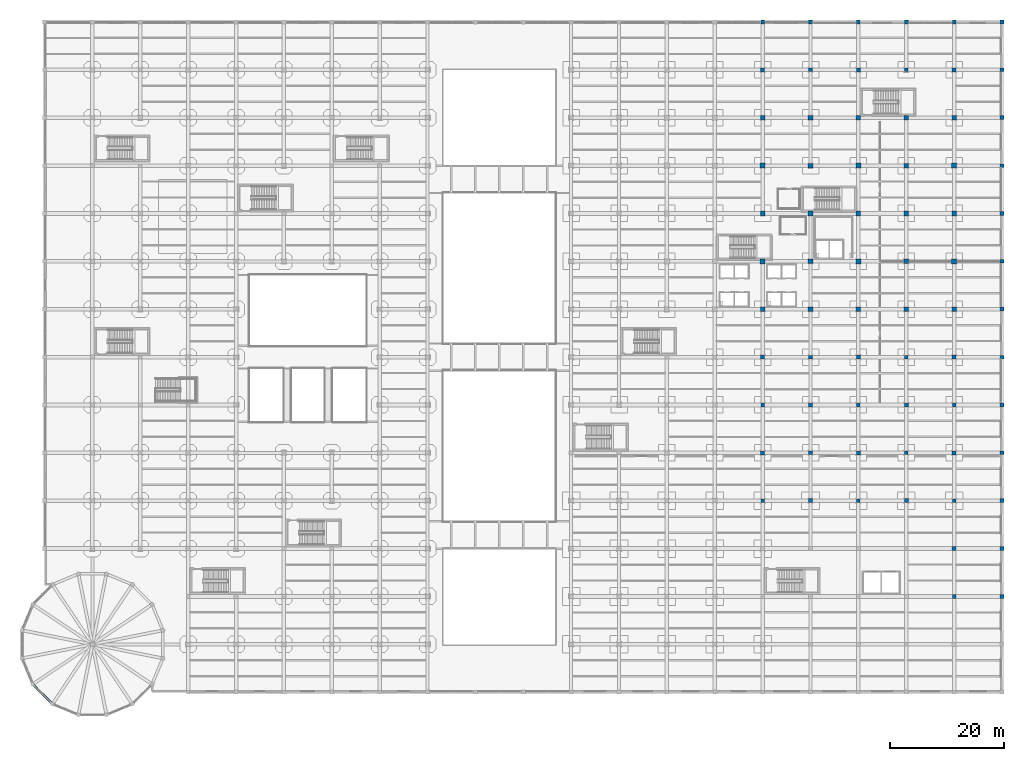
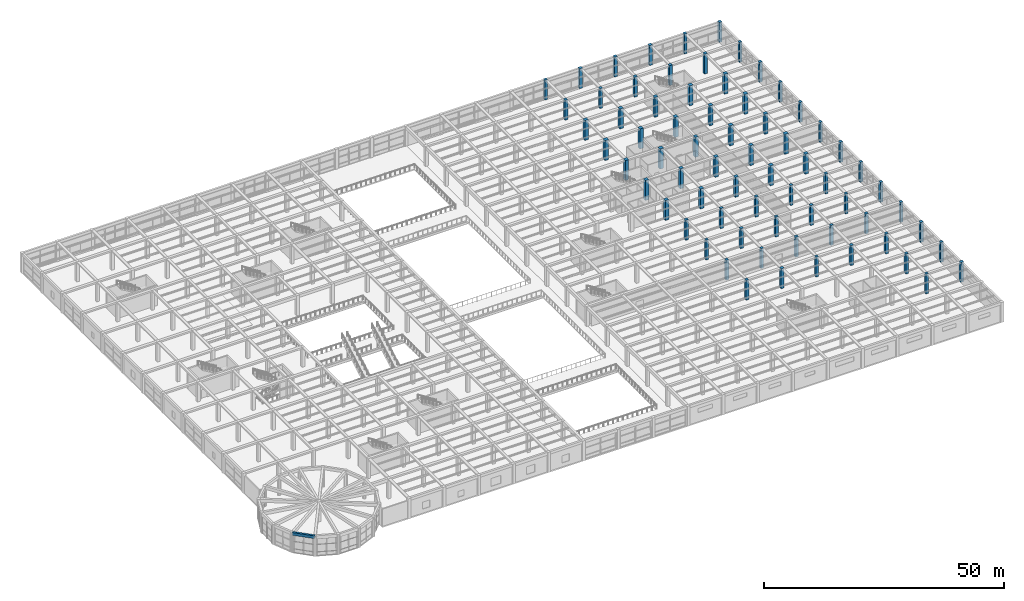
# One storey, part 2 of 96: 70 columns, 1 beam.
"""IFC4 building model written with IfcOpenShell, lengths in metres."""

import ifcopenshell
import ifcopenshell.guid

model = None  # the IFC model being written
_history = None  # IfcOwnerHistory: only IFC2X3 demands one
_inside = {}  # id of a spatial element -> (the spatial element, [elements in it])
_under = {}  # id of a project, library or spatial element -> (it, [spatial elements below it])
_declared = {}  # id of a project -> (the project, [libraries it declares])
_typed = {}  # id of a type object -> (the type object, [elements of that type])
_made_of = {}  # id of a material, layer set ... -> (it, [elements and type objects made of it])


def new_model(schema):
    """Start an empty IFC model of exactly this schema.

    Asked for "IFC4X3", IfcOpenShell would pick the latest addendum, in which some entities
    have other attributes; the version numbers below select the first issue.
    IFC2X3 requires an IfcOwnerHistory on every rooted entity: one is made here for all.
    """
    global model, _history
    if schema == "IFC4X3":
        model = ifcopenshell.file(schema_version=(4, 3, 0, 0))
    else:
        model = ifcopenshell.file(schema=schema)
    _inside.clear()
    _under.clear()
    _declared.clear()
    _typed.clear()
    _made_of.clear()
    _history = None
    if model.schema == "IFC2X3":
        org = make("IfcOrganization", Name="unknown")
        user = make(
            "IfcPersonAndOrganization",
            ThePerson=make("IfcPerson", FamilyName="unknown"),
            TheOrganization=org,
        )
        app = make(
            "IfcApplication",
            ApplicationDeveloper=org,
            Version="unknown",
            ApplicationFullName="unknown",
            ApplicationIdentifier="unknown",
        )
        _history = make(
            "IfcOwnerHistory",
            OwningUser=user,
            OwningApplication=app,
            ChangeAction="ADDED",
            CreationDate=0,
        )
    return model


def make(cls, **values):
    """One entity of the class cls with the attributes given. An attribute that is None is left unset."""
    return model.create_entity(
        cls, **{name: value for name, value in values.items() if value is not None}
    )


def rooted(cls, **values):
    """An entity with a GlobalId (a new one), such as an element, a storey or a relation."""
    return make(cls, GlobalId=ifcopenshell.guid.new(), OwnerHistory=_history, **values)


def si_unit(unit_type, name, prefix=None):
    """IfcSIUnit, for example si_unit("LENGTHUNIT", "METRE", prefix="MILLI")."""
    return make("IfcSIUnit", UnitType=unit_type, Prefix=prefix, Name=name)


def assignment(units):
    """IfcUnitAssignment: the units of a project."""
    return None if units is None else make("IfcUnitAssignment", Units=units)


def point(xyz):
    """IfcCartesianPoint."""
    return None if xyz is None else make("IfcCartesianPoint", Coordinates=xyz)


def direction(xyz):
    """IfcDirection."""
    return None if xyz is None else make("IfcDirection", DirectionRatios=xyz)


def frame(location, z_axis=None, x_axis=None):
    """IfcAxis2Placement3D, a coordinate frame: its origin and axes. An axis left out is left unset."""
    return make(
        "IfcAxis2Placement3D",
        Location=point(location),
        Axis=direction(z_axis),
        RefDirection=direction(x_axis),
    )


def frame_2d(location, x_axis=None):
    """IfcAxis2Placement2D, a coordinate frame in the plane: its origin and x axis."""
    return make(
        "IfcAxis2Placement2D", Location=point(location), RefDirection=direction(x_axis)
    )


def origin():
    """The frame at (0, 0, 0) with its axes left unset."""
    return frame((0.0, 0.0, 0.0))


def origin_2d():
    """The frame at (0, 0) in the plane with its x axis left unset."""
    return frame_2d((0.0, 0.0))


def place(relative_to, where):
    """IfcLocalPlacement: puts the frame where relative to a parent placement (None: the world)."""
    return make(
        "IfcLocalPlacement", PlacementRelTo=relative_to, RelativePlacement=where
    )


def context(
    kind, dimensions, precision=None, world=None, true_north=None, identifier=None
):
    """IfcGeometricRepresentationContext, for example the 3D "Model" context."""
    return make(
        "IfcGeometricRepresentationContext",
        ContextIdentifier=identifier,
        ContextType=kind,
        CoordinateSpaceDimension=dimensions,
        Precision=precision,
        WorldCoordinateSystem=world,
        TrueNorth=true_north,
    )


def subcontext(parent, identifier, kind, view, scale=None):
    """IfcGeometricRepresentationSubContext, for example "Body" below "Model"."""
    return make(
        "IfcGeometricRepresentationSubContext",
        ContextIdentifier=identifier,
        ContextType=kind,
        ParentContext=parent,
        TargetScale=scale,
        TargetView=view,
    )


def project(units=None, contexts=None):
    """IfcProject with its units and contexts."""
    return rooted(
        "IfcProject",
        Name="project",
        RepresentationContexts=contexts,
        UnitsInContext=assignment(units),
    )


def spatial(cls, under=None, at=None, **own):
    """A site, building, storey or space (cls), placed at a placement, below another one or the project."""
    s = rooted(cls, ObjectPlacement=at, **own)
    if under is not None:
        _under.setdefault(under.id(), (under, []))[1].append(s)
    return s


def profile(cls, at=None, kind="AREA", **sizes):
    """A parametric profile (cls). Its sizes go by their IFC names, for example OverallWidth=200.0."""
    return make(cls, ProfileType=kind, Position=at, **sizes)


def rectangle(**sizes):
    """IfcRectangleProfileDef."""
    return profile("IfcRectangleProfileDef", **sizes)


def extrude(swept, where, along, depth):
    """IfcExtrudedAreaSolid: the profile swept, set in the frame where, extruded along a direction by depth."""
    return make(
        "IfcExtrudedAreaSolid",
        SweptArea=swept,
        Position=where,
        ExtrudedDirection=direction(along),
        Depth=depth,
    )


def shape(context_of_items, identifier, shape_type, items):
    """IfcShapeRepresentation: the items that make up one representation, for example the "Body"."""
    return make(
        "IfcShapeRepresentation",
        ContextOfItems=context_of_items,
        RepresentationIdentifier=identifier,
        RepresentationType=shape_type,
        Items=items,
    )


def material(Name=None, Category=None):
    """IfcMaterial."""
    return make("IfcMaterial", Name=Name, Category=Category)


def material_profile(
    of_material, cross_section, Name=None, Category=None, Priority=None
):
    """IfcMaterialProfile: a cross section and its material."""
    return make(
        "IfcMaterialProfile",
        Name=Name,
        Material=of_material,
        Profile=cross_section,
        Priority=Priority,
        Category=Category,
    )


def profile_set(profiles, Name=None, composite=None):
    """IfcMaterialProfileSet."""
    return make(
        "IfcMaterialProfileSet",
        Name=Name,
        MaterialProfiles=profiles,
        CompositeProfile=composite,
    )


def made_of(thing, what):
    """Note that an element or type object is made of a material, layer set ...; save() writes the relation."""
    if what is not None:
        _made_of.setdefault(what.id(), (what, []))[1].append(thing)
    return thing


def type_object(cls, material=None, **own):
    """A type object (cls), such as IfcWallType, which elements share."""
    return made_of(rooted(cls, **own), material)


def element(
    cls,
    number,
    at=None,
    inside=None,
    cuts=None,
    type_object=None,
    material=None,
    context=None,
    identifier="Body",
    shape_type=None,
    held_by="IfcProductDefinitionShape",
    body=None,
    shapes=None,
    **own,
):
    """One element of the class cls, such as IfcWall. Its Tag is "e" and its number.

    at: its placement. inside: the storey or other place that contains it. cuts: it is an
    opening in that element (IfcRelVoidsElement). A single representation is given by context,
    identifier, shape_type and body (its items); several are given by shapes. held_by: the class
    of the entity that holds the representations. save() writes the other relations.
    """
    e = rooted(cls, Tag="e%d" % number, ObjectPlacement=at, **own)
    if body is not None:
        shapes = [shape(context, identifier, shape_type, body)]
    if shapes is not None:
        e.Representation = make(held_by, Representations=shapes)
    if inside is not None:
        _inside.setdefault(inside.id(), (inside, []))[1].append(e)
    if cuts is not None:
        rooted(
            "IfcRelVoidsElement", RelatingBuildingElement=cuts, RelatedOpeningElement=e
        )
    if type_object is not None:
        _typed.setdefault(type_object.id(), (type_object, []))[1].append(e)
    return made_of(e, material)


def aggregate(whole, parts):
    """IfcRelAggregates: a whole, such as a stair, and the parts it consists of."""
    return rooted("IfcRelAggregates", RelatingObject=whole, RelatedObjects=parts)


def save(model, path):
    """Write the relations noted so far, then the file.

    IfcRelAggregates (storeys below a building ...), IfcRelContainedInSpatialStructure (elements
    in a storey), IfcRelDefinesByType, IfcRelAssociatesMaterial and IfcRelDeclares: one each for
    every whole, place, type object, material and project.
    """
    for whole, parts in _under.values():
        aggregate(whole, parts)
    for where, things in _inside.values():
        rooted(
            "IfcRelContainedInSpatialStructure",
            RelatedElements=things,
            RelatingStructure=where,
        )
    for kind, things in _typed.values():
        rooted("IfcRelDefinesByType", RelatedObjects=things, RelatingType=kind)
    for what, things in _made_of.values():
        rooted("IfcRelAssociatesMaterial", RelatedObjects=things, RelatingMaterial=what)
    for by, libraries in _declared.values():
        rooted("IfcRelDeclares", RelatingContext=by, RelatedDefinitions=libraries)
    model.write(path)


model = new_model("IFC4")

# Units and contexts
model_context = context("Model", 3, precision=1e-05, world=origin(), true_north=direction((0.0, 1.0)))
body_context = subcontext(model_context, "Body", "Model", "MODEL_VIEW")
ifc_project = project(units=[si_unit("LENGTHUNIT", "METRE"), si_unit("AREAUNIT", "SQUARE_METRE"), si_unit("VOLUMEUNIT", "CUBIC_METRE"), si_unit("PLANEANGLEUNIT", "RADIAN"), si_unit("MASSUNIT", "GRAM", prefix="KILO")], contexts=[model_context])

# Site, building, storey
site_placement = place(None, origin())
site = spatial("IfcSite", under=ifc_project, at=site_placement, CompositionType="ELEMENT")
building_placement = place(site_placement, origin())
building = spatial("IfcBuilding", under=site, at=building_placement, Name="Almacenes y Pasaje Nevantli", CompositionType="ELEMENT")
storey_placement = place(building_placement, frame((0.0, 0.0, 6.0)))
storey = spatial("IfcBuildingStorey", under=building, at=storey_placement, Name="L02", CompositionType="ELEMENT", Elevation=6.0)

# Columns
ifc_material_1 = material(Name="Concrete C45/55", Category="concrete")
ifc_material_profile_1 = material_profile(ifc_material_1, rectangle(XDim=0.64990234375, YDim=0.64990234375, at=origin_2d()), Name="RC-COL-650x650")
ifc_profile_set_1 = profile_set([ifc_material_profile_1], Name="Concrete C45/55")
column_type_1 = type_object("IfcColumnType", Name="COL-RC-650", PredefinedType="COLUMN", material=ifc_profile_set_1)
for number, where, z_axis, x_axis, name in (
    (1, (126.0, 33.60009765625, 0.0), (0.0, 0.0, 1.0), (1.0, 0.0, 0.0), "L02 Reinforced Concrete Column CL-07 #1178"),
    (2, (126.0, 50.39990234375, 0.0), (0.0, 0.0, 1.0), (1.0, 0.0, 0.0), "L02 Reinforced Concrete Column CL-07 #1180"),
    (3, (126.0, 117.60009765625, 0.0), (0.0, 0.0, 1.0), (1.0, 0.0, 0.0), "L02 Reinforced Concrete Column CL-07 #1188"),
    (4, (134.39990234375, 42.0, 0.0), (0.0, 0.0, 1.0), (1.0, 0.0, 0.0), "L02 Reinforced Concrete Column CL-07 #1194"),
    (5, (134.39990234375, 58.800048828125, 0.0), (0.0, 0.0, 1.0), (1.0, 0.0, 0.0), "L02 Reinforced Concrete Column CL-07 #1196"),
    (6, (134.39990234375, 109.199951171875, 0.0), (0.0, 0.0, 1.0), (1.0, 0.0, 0.0), "L02 Reinforced Concrete Column CL-07 #1202"),
    (7, (142.800048828125, 33.60009765625, 0.0), (0.0, 0.0, 1.0), (1.0, 0.0, 0.0), "L02 Reinforced Concrete Column CL-07 #1208"),
    (8, (142.800048828125, 50.39990234375, 0.0), (0.0, 0.0, 1.0), (1.0, 0.0, 0.0), "L02 Reinforced Concrete Column CL-07 #1210"),
    (9, (142.800048828125, 117.60009765625, 0.0), (0.0, 0.0, 1.0), (1.0, 0.0, 0.0), "L02 Reinforced Concrete Column CL-07 #1218"),
    (10, (151.199951171875, 42.0, 0.0), (0.0, 0.0, 1.0), (1.0, 0.0, 0.0), "L02 Reinforced Concrete Column CL-07 #1224"),
    (11, (151.199951171875, 58.800048828125, 0.0), (0.0, 0.0, 1.0), (1.0, 0.0, 0.0), "L02 Reinforced Concrete Column CL-07 #1226"),
    (12, (151.199951171875, 109.199951171875, 0.0), (0.0, 0.0, 1.0), (1.0, 0.0, 0.0), "L02 Reinforced Concrete Column CL-07 #1232"),
    (13, (159.60009765625, 16.800048828125, 0.0), (0.0, 0.0, 1.0), (1.0, 0.0, 0.0), "L02 Reinforced Concrete Column CL-07 #1236"),
    (14, (159.60009765625, 33.60009765625, 0.0), (0.0, 0.0, 1.0), (1.0, 0.0, 0.0), "L02 Reinforced Concrete Column CL-07 #1238"),
    (15, (159.60009765625, 50.39990234375, 0.0), (0.0, 0.0, 1.0), (1.0, 0.0, 0.0), "L02 Reinforced Concrete Column CL-07 #1240"),
    (16, (159.60009765625, 117.60009765625, 0.0), (0.0, 0.0, 1.0), (1.0, 0.0, 0.0), "L02 Reinforced Concrete Column CL-07 #1248"),
    (17, (168.0, 25.199951171875, 0.0), (0.0, 0.0, 1.0), (1.0, 0.0, 0.0), "L02 Reinforced Concrete Column CL-07 #1252"),
    (18, (168.0, 42.0, 0.0), (0.0, 0.0, 1.0), (1.0, 0.0, 0.0), "L02 Reinforced Concrete Column CL-07 #1254"),
    (19, (168.0, 58.800048828125, 0.0), (0.0, 0.0, 1.0), (1.0, 0.0, 0.0), "L02 Reinforced Concrete Column CL-07 #1256"),
    (20, (168.0, 75.60009765625, 0.0), (0.0, 0.0, 1.0), (1.0, 0.0, 0.0), "L02 Reinforced Concrete Column CL-07 #1258"),
    (21, (168.0, 92.39990234375, 0.0), (0.0, 0.0, 1.0), (1.0, 0.0, 0.0), "L02 Reinforced Concrete Column CL-07 #1260"),
    (22, (168.0, 109.199951171875, 0.0), (0.0, 0.0, 1.0), (1.0, 0.0, 0.0), "L02 Reinforced Concrete Column CL-07 #1262"),
):
    element("IfcColumn", number, at=place(storey_placement, frame(where, z_axis=z_axis, x_axis=x_axis)), inside=storey, type_object=column_type_1, Name=name, PredefinedType="COLUMN", context=body_context, shape_type="SweptSolid", body=[
        extrude(rectangle(XDim=0.64990234375, YDim=0.64990234375, at=origin_2d()), origin(), (0.0, 0.0, 1.0), 5.10009765625),
    ])
ifc_material_2 = material(Name="Concrete C45/55", Category="concrete")
ifc_material_profile_2 = material_profile(ifc_material_2, rectangle(XDim=0.699951171875, YDim=0.699951171875, at=origin_2d()), Name="RC-COL-700x700")
ifc_profile_set_2 = profile_set([ifc_material_profile_2], Name="Concrete C45/55")
column_type_2 = type_object("IfcColumnType", Name="COL-RC-700", PredefinedType="COLUMN", material=ifc_profile_set_2)
for number, where, z_axis, x_axis, name in (
    (23, (126.0, 42.0, 0.0), (0.0, 0.0, 1.0), (1.0, 0.0, 0.0), "L02 Reinforced Concrete Column CL-06 #1179"),
    (24, (126.0, 58.800048828125, 0.0), (0.0, 0.0, 1.0), (1.0, 0.0, 0.0), "L02 Reinforced Concrete Column CL-06 #1181"),
    (25, (126.0, 109.199951171875, 0.0), (0.0, 0.0, 1.0), (1.0, 0.0, 0.0), "L02 Reinforced Concrete Column CL-06 #1187"),
    (26, (134.39990234375, 33.60009765625, 0.0), (0.0, 0.0, 1.0), (1.0, 0.0, 0.0), "L02 Reinforced Concrete Column CL-06 #1193"),
    (27, (134.39990234375, 50.39990234375, 0.0), (0.0, 0.0, 1.0), (1.0, 0.0, 0.0), "L02 Reinforced Concrete Column CL-06 #1195"),
    (28, (134.39990234375, 117.60009765625, 0.0), (0.0, 0.0, 1.0), (1.0, 0.0, 0.0), "L02 Reinforced Concrete Column CL-06 #1203"),
    (29, (142.800048828125, 42.0, 0.0), (0.0, 0.0, 1.0), (1.0, 0.0, 0.0), "L02 Reinforced Concrete Column CL-06 #1209"),
    (30, (142.800048828125, 58.800048828125, 0.0), (0.0, 0.0, 1.0), (1.0, 0.0, 0.0), "L02 Reinforced Concrete Column CL-06 #1211"),
    (31, (142.800048828125, 109.199951171875, 0.0), (0.0, 0.0, 1.0), (1.0, 0.0, 0.0), "L02 Reinforced Concrete Column CL-06 #1217"),
    (32, (151.199951171875, 33.60009765625, 0.0), (0.0, 0.0, 1.0), (1.0, 0.0, 0.0), "L02 Reinforced Concrete Column CL-06 #1223"),
    (33, (151.199951171875, 50.39990234375, 0.0), (0.0, 0.0, 1.0), (1.0, 0.0, 0.0), "L02 Reinforced Concrete Column CL-06 #1225"),
    (34, (151.199951171875, 117.60009765625, 0.0), (0.0, 0.0, 1.0), (1.0, 0.0, 0.0), "L02 Reinforced Concrete Column CL-06 #1233"),
    (35, (159.60009765625, 25.199951171875, 0.0), (0.0, 0.0, 1.0), (1.0, 0.0, 0.0), "L02 Reinforced Concrete Column CL-06 #1237"),
    (36, (159.60009765625, 42.0, 0.0), (0.0, 0.0, 1.0), (1.0, 0.0, 0.0), "L02 Reinforced Concrete Column CL-06 #1239"),
    (37, (159.60009765625, 58.800048828125, 0.0), (0.0, 0.0, 1.0), (1.0, 0.0, 0.0), "L02 Reinforced Concrete Column CL-06 #1241"),
    (38, (159.60009765625, 109.199951171875, 0.0), (0.0, 0.0, 1.0), (1.0, 0.0, 0.0), "L02 Reinforced Concrete Column CL-06 #1247"),
    (39, (168.0, 16.800048828125, 0.0), (0.0, 0.0, 1.0), (1.0, 0.0, 0.0), "L02 Reinforced Concrete Column CL-06 #1251"),
    (40, (168.0, 33.60009765625, 0.0), (0.0, 0.0, 1.0), (1.0, 0.0, 0.0), "L02 Reinforced Concrete Column CL-06 #1253"),
    (41, (168.0, 50.39990234375, 0.0), (0.0, 0.0, 1.0), (1.0, 0.0, 0.0), "L02 Reinforced Concrete Column CL-06 #1255"),
    (42, (168.0, 67.199951171875, 0.0), (0.0, 0.0, 1.0), (1.0, 0.0, 0.0), "L02 Reinforced Concrete Column CL-06 #1257"),
    (43, (168.0, 84.0, 0.0), (0.0, 0.0, 1.0), (1.0, 0.0, 0.0), "L02 Reinforced Concrete Column CL-06 #1259"),
    (44, (168.0, 100.800048828125, 0.0), (0.0, 0.0, 1.0), (1.0, 0.0, 0.0), "L02 Reinforced Concrete Column CL-06 #1261"),
    (45, (168.0, 117.60009765625, 0.0), (0.0, 0.0, 1.0), (1.0, 0.0, 0.0), "L02 Reinforced Concrete Column CL-06 #1263"),
):
    element("IfcColumn", number, at=place(storey_placement, frame(where, z_axis=z_axis, x_axis=x_axis)), inside=storey, type_object=column_type_2, Name=name, PredefinedType="COLUMN", context=body_context, shape_type="SweptSolid", body=[
        extrude(rectangle(XDim=0.699951171875, YDim=0.699951171875, at=origin_2d()), origin(), (0.0, 0.0, 1.0), 5.10009765625),
    ])
ifc_material_3 = material(Name="Concrete C45/55", Category="concrete")
ifc_material_profile_3 = material_profile(ifc_material_3, rectangle(XDim=0.800048828125, YDim=0.800048828125, at=origin_2d()), Name="RC-COL-800x800")
ifc_profile_set_3 = profile_set([ifc_material_profile_3], Name="Concrete C45/55")
column_type_3 = type_object("IfcColumnType", Name="COL-RC-800", PredefinedType="COLUMN", material=ifc_profile_set_3)
for number, where, z_axis, x_axis, name in (
    (46, (126.0, 67.199951171875, 0.0), (0.0, 0.0, 1.0), (1.0, 0.0, 0.0), "L02 Reinforced Concrete Column CL-04 #1182"),
    (47, (126.0, 84.0, 0.0), (0.0, 0.0, 1.0), (1.0, 0.0, 0.0), "L02 Reinforced Concrete Column CL-04 #1184"),
    (48, (126.0, 100.800048828125, 0.0), (0.0, 0.0, 1.0), (1.0, 0.0, 0.0), "L02 Reinforced Concrete Column CL-04 #1186"),
    (49, (134.39990234375, 75.60009765625, 0.0), (0.0, 0.0, 1.0), (1.0, 0.0, 0.0), "L02 Reinforced Concrete Column CL-04 #1198"),
    (50, (134.39990234375, 92.39990234375, 0.0), (0.0, 0.0, 1.0), (1.0, 0.0, 0.0), "L02 Reinforced Concrete Column CL-04 #1200"),
    (51, (142.800048828125, 67.199951171875, 0.0), (0.0, 0.0, 1.0), (1.0, 0.0, 0.0), "L02 Reinforced Concrete Column CL-04 #1212"),
    (52, (142.800048828125, 84.0, 0.0), (0.0, 0.0, 1.0), (1.0, 0.0, 0.0), "L02 Reinforced Concrete Column CL-04 #1214"),
    (53, (142.800048828125, 100.800048828125, 0.0), (0.0, 0.0, 1.0), (1.0, 0.0, 0.0), "L02 Reinforced Concrete Column CL-04 #1216"),
    (54, (151.199951171875, 75.60009765625, 0.0), (0.0, 0.0, 1.0), (1.0, 0.0, 0.0), "L02 Reinforced Concrete Column CL-04 #1228"),
    (55, (151.199951171875, 92.39990234375, 0.0), (0.0, 0.0, 1.0), (1.0, 0.0, 0.0), "L02 Reinforced Concrete Column CL-04 #1230"),
    (56, (159.60009765625, 67.199951171875, 0.0), (0.0, 0.0, 1.0), (1.0, 0.0, 0.0), "L02 Reinforced Concrete Column CL-04 #1242"),
    (57, (159.60009765625, 84.0, 0.0), (0.0, 0.0, 1.0), (1.0, 0.0, 0.0), "L02 Reinforced Concrete Column CL-04 #1244"),
    (58, (159.60009765625, 100.800048828125, 0.0), (0.0, 0.0, 1.0), (1.0, 0.0, 0.0), "L02 Reinforced Concrete Column CL-04 #1246"),
):
    element("IfcColumn", number, at=place(storey_placement, frame(where, z_axis=z_axis, x_axis=x_axis)), inside=storey, type_object=column_type_3, Name=name, PredefinedType="COLUMN", context=body_context, shape_type="SweptSolid", body=[
        extrude(rectangle(XDim=0.800048828125, YDim=0.800048828125, at=origin_2d()), origin(), (0.0, 0.0, 1.0), 5.10009765625),
    ])
ifc_material_4 = material(Name="Concrete C45/55", Category="concrete")
ifc_material_profile_4 = material_profile(ifc_material_4, rectangle(XDim=0.85009765625, YDim=0.85009765625, at=origin_2d()), Name="RC-COL-850x850")
ifc_profile_set_4 = profile_set([ifc_material_profile_4], Name="Concrete C45/55")
column_type_4 = type_object("IfcColumnType", Name="COL-RC-850", PredefinedType="COLUMN", material=ifc_profile_set_4)
for number, where, z_axis, x_axis, name in (
    (59, (126.0, 75.60009765625, 0.0), (0.0, 0.0, 1.0), (1.0, 0.0, 0.0), "L02 Reinforced Concrete Column CL-03 #1183"),
    (60, (126.0, 92.39990234375, 0.0), (0.0, 0.0, 1.0), (1.0, 0.0, 0.0), "L02 Reinforced Concrete Column CL-03 #1185"),
    (61, (134.39990234375, 67.199951171875, 0.0), (0.0, 0.0, 1.0), (1.0, 0.0, 0.0), "L02 Reinforced Concrete Column CL-03 #1197"),
    (62, (134.39990234375, 84.0, 0.0), (0.0, 0.0, 1.0), (1.0, 0.0, 0.0), "L02 Reinforced Concrete Column CL-03 #1199"),
    (63, (134.39990234375, 100.800048828125, 0.0), (0.0, 0.0, 1.0), (1.0, 0.0, 0.0), "L02 Reinforced Concrete Column CL-03 #1201"),
    (64, (142.800048828125, 75.60009765625, 0.0), (0.0, 0.0, 1.0), (1.0, 0.0, 0.0), "L02 Reinforced Concrete Column CL-03 #1213"),
    (65, (142.800048828125, 92.39990234375, 0.0), (0.0, 0.0, 1.0), (1.0, 0.0, 0.0), "L02 Reinforced Concrete Column CL-03 #1215"),
    (66, (151.199951171875, 67.199951171875, 0.0), (0.0, 0.0, 1.0), (1.0, 0.0, 0.0), "L02 Reinforced Concrete Column CL-03 #1227"),
    (67, (151.199951171875, 84.0, 0.0), (0.0, 0.0, 1.0), (1.0, 0.0, 0.0), "L02 Reinforced Concrete Column CL-03 #1229"),
    (68, (151.199951171875, 100.800048828125, 0.0), (0.0, 0.0, 1.0), (1.0, 0.0, 0.0), "L02 Reinforced Concrete Column CL-03 #1231"),
    (69, (159.60009765625, 75.60009765625, 0.0), (0.0, 0.0, 1.0), (1.0, 0.0, 0.0), "L02 Reinforced Concrete Column CL-03 #1243"),
    (70, (159.60009765625, 92.39990234375, 0.0), (0.0, 0.0, 1.0), (1.0, 0.0, 0.0), "L02 Reinforced Concrete Column CL-03 #1245"),
):
    element("IfcColumn", number, at=place(storey_placement, frame(where, z_axis=z_axis, x_axis=x_axis)), inside=storey, type_object=column_type_4, Name=name, PredefinedType="COLUMN", context=body_context, shape_type="SweptSolid", body=[
        extrude(rectangle(XDim=0.85009765625, YDim=0.85009765625, at=origin_2d()), origin(), (0.0, 0.0, 1.0), 5.10009765625),
    ])

# Beam
ifc_material_5 = material(Name="Concrete C35/45", Category="concrete")
ifc_material_profile_5 = material_profile(ifc_material_5, rectangle(XDim=0.449951171875, YDim=0.699951171875, at=origin_2d()), Name="RC-BM-450x700")
ifc_profile_set_5 = profile_set([ifc_material_profile_5], Name="Concrete C35/45")
beam_type = type_object("IfcBeamType", Name="BM-RC-450x700", PredefinedType="SPANDREL", material=ifc_profile_set_5)
beam_placement = place(storey_placement, frame((-2.076416015625, 1.39990234375, 4.75), z_axis=(0.707106781187, -0.707106781187, 0.0), x_axis=(0.707106781187, 0.707106781187, 0.0)))
element("IfcBeam", 71, at=beam_placement, inside=storey, type_object=beam_type, Name="L02 Rotunda Ring Spandrel Beam #10", PredefinedType="SPANDREL", context=body_context, shape_type="SweptSolid", body=[
    extrude(rectangle(XDim=0.449951171875, YDim=0.699951171875, at=origin_2d()), origin(), (0.0, 0.0, 1.0), 4.916259765625),
])

save(model, "model.ifc")
